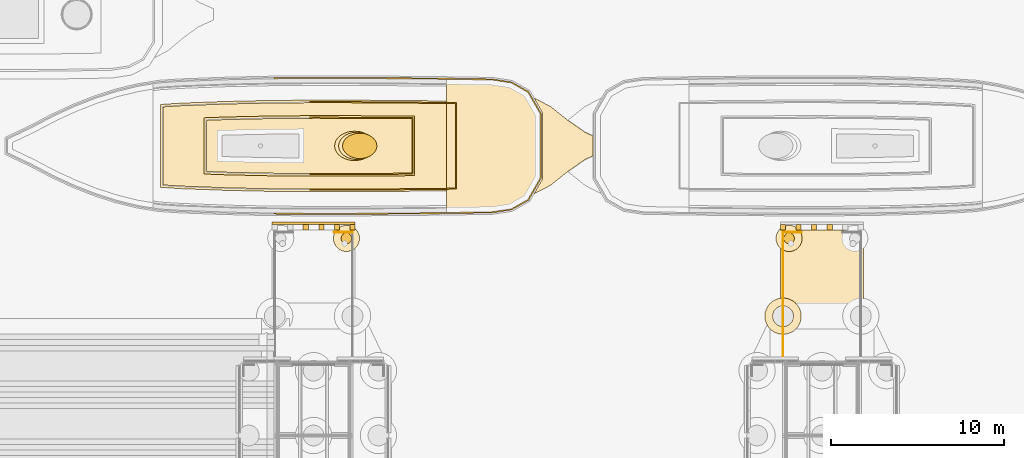
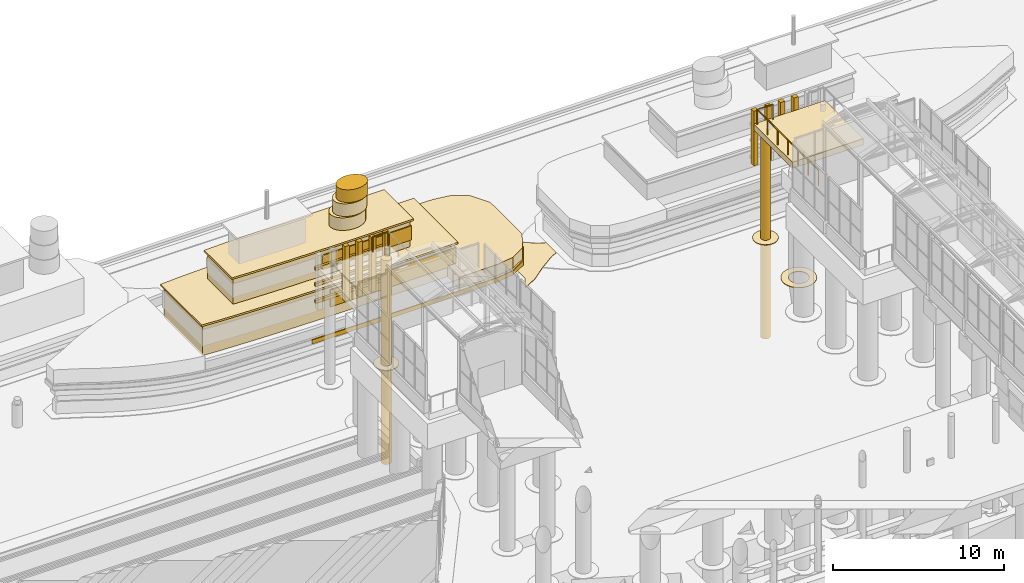
# One storey, part 194 of 222: 29 coverings, 3 railings.
"""IFC4 building model written with IfcOpenShell, lengths in metres."""

from ifc_helpers import new_model, si_unit, direction, frame, origin, origin_2d, place, context, subcontext, project, spatial, polyline, rectangle, circle, outline, extrude, material, layer, layer_set, type_object, element, save


model = new_model("IFC4")

# Units and contexts
model_context = context("Model", 3, precision=1e-05, world=origin(), true_north=direction((0.0, 1.0)))
body_context = subcontext(model_context, "Body", "Model", "MODEL_VIEW")
ifc_project = project(units=[si_unit("LENGTHUNIT", "METRE"), si_unit("AREAUNIT", "SQUARE_METRE"), si_unit("VOLUMEUNIT", "CUBIC_METRE"), si_unit("PLANEANGLEUNIT", "RADIAN"), si_unit("MASSUNIT", "GRAM", prefix="KILO")], contexts=[model_context])

# Site, building, storey
site_placement = place(None, origin())
site = spatial("IfcSite", under=ifc_project, at=site_placement, CompositionType="ELEMENT")
building_placement = place(site_placement, origin())
building = spatial("IfcBuilding", under=site, at=building_placement, Name="Sava Quay Ferry Terminal", CompositionType="ELEMENT")
storey_placement = place(building_placement, origin())
storey = spatial("IfcBuildingStorey", under=building, at=storey_placement, Name="L00", CompositionType="ELEMENT", Elevation=0.0)

# Coverings
ifc_material_1 = material(Name="Precast concrete C40/50", Category="concrete")
ifc_layer_1 = layer(ifc_material_1, 0.449951171875)
ifc_layer_set_1 = layer_set([ifc_layer_1], Name="Precast concrete C40/50")
covering_type_1 = type_object("IfcCoveringType", Name="Berth landing stage 450", PredefinedType="FLOORING", material=ifc_layer_set_1)
covering_1_placement = place(storey_placement, frame((0.0, 0.0, -0.449951171875)))
element("IfcCovering", 1, at=covering_1_placement, inside=storey, type_object=covering_type_1, Name="Berth landing stage", PredefinedType="FLOORING", context=body_context, shape_type="SweptSolid", body=[
    extrude(outline(polyline([(75.300048828125, 146.0), (80.10009765625, 146.0), (80.10009765625, 150.5), (75.300048828125, 150.5), (75.300048828125, 146.0)])), origin(), (0.0, 0.0, 1.0), 0.449951171875),
])
ifc_material_2 = material(Name="Steel S355", Category="steel")
ifc_layer_2 = layer(ifc_material_2, 0.030029296875)
ifc_layer_set_2 = layer_set([ifc_layer_2], Name="Steel S355")
covering_type_2 = type_object("IfcCoveringType", Name="Berth mooring dolphin 610", PredefinedType="CLADDING", material=ifc_layer_set_2)
for number, where, z_axis, x_axis, name in (
    (2, (50.199951171875, 150.0, -0.449951171875), (0.0, 0.0, -1.0), (1.0, 0.0, 0.0), "Berth mooring dolphin"),
    (3, (75.800048828125, 150.0, -0.449951171875), (0.0, 0.0, -1.0), (1.0, 0.0, 0.0), "Berth mooring dolphin"),
):
    element("IfcCovering", number, at=place(storey_placement, frame(where, z_axis=z_axis, x_axis=x_axis)), inside=storey, type_object=covering_type_2, Name=name, PredefinedType="CLADDING", context=body_context, shape_type="SweptSolid", body=[
        extrude(circle(Radius=0.304931640625, at=origin_2d()), origin(), (0.0, 0.0, 1.0), 14.550048828125),
    ])

# Railings
ifc_material_3 = material(Name="Steel S355", Category="steel")
railing_type = type_object("IfcRailingType", Name="Edge guard 1100", PredefinedType="GUARDRAIL", material=ifc_material_3)
railing_1_placement = place(storey_placement, frame((49.5, 150.35009765625, 0.0)))
element("IfcRailing", 4, at=railing_1_placement, inside=storey, type_object=railing_type, Name="Berth guard outer edge east", PredefinedType="GUARDRAIL", context=body_context, shape_type="SweptSolid", body=[
    extrude(circle(Radius=0.02392578125, at=origin_2d()), frame((0.0, 0.0, 1.076171875), z_axis=(1.0, 0.0, 0.0), x_axis=(0.0, 1.0, 0.0)), (0.0, 0.0, 1.0), 1.050048828125),
    extrude(circle(Radius=0.02099609375, at=origin_2d()), origin(), (0.0, 0.0, 1.0), 1.052001953125),
    extrude(circle(Radius=0.02099609375, at=origin_2d()), frame((1.050048828125, 0.0, 0.0)), (0.0, 0.0, 1.0), 1.052001953125),
])
railing_2_placement = place(storey_placement, frame((75.449951171875, 143.199951171875, 0.0)))
element("IfcRailing", 5, at=railing_2_placement, inside=storey, type_object=railing_type, Name="Berth guard west side", PredefinedType="GUARDRAIL", context=body_context, shape_type="SweptSolid", body=[
    extrude(circle(Radius=0.02392578125, at=origin_2d()), frame((0.0, 0.0, 1.076171875), z_axis=(0.0, 1.0, 0.0), x_axis=(-1.0, 0.0, 0.0)), (0.0, 0.0, 1.0), 7.150146484375),
    extrude(circle(Radius=0.02099609375, at=origin_2d()), origin(), (0.0, 0.0, 1.0), 1.052001953125),
    extrude(circle(Radius=0.02099609375, at=origin_2d()), frame((0.0, 1.191650390625, 0.0)), (0.0, 0.0, 1.0), 1.052001953125),
    extrude(circle(Radius=0.02099609375, at=origin_2d()), frame((0.0, 2.38330078125, 0.0)), (0.0, 0.0, 1.0), 1.052001953125),
    extrude(circle(Radius=0.02099609375, at=origin_2d()), frame((0.0, 3.5751953125, 0.0)), (0.0, 0.0, 1.0), 1.052001953125),
    extrude(circle(Radius=0.02099609375, at=origin_2d()), frame((0.0, 4.766845703125, 0.0)), (0.0, 0.0, 1.0), 1.052001953125),
    extrude(circle(Radius=0.02099609375, at=origin_2d()), frame((0.0, 5.95849609375, 0.0)), (0.0, 0.0, 1.0), 1.052001953125),
    extrude(circle(Radius=0.02099609375, at=origin_2d()), frame((0.0, 7.150146484375, 0.0)), (0.0, 0.0, 1.0), 1.052001953125),
])
railing_3_placement = place(storey_placement, frame((75.449951171875, 150.35009765625, 0.0)))
element("IfcRailing", 6, at=railing_3_placement, inside=storey, type_object=railing_type, Name="Berth guard outer edge west", PredefinedType="GUARDRAIL", context=body_context, shape_type="SweptSolid", body=[
    extrude(circle(Radius=0.02392578125, at=origin_2d()), frame((0.0, 0.0, 1.076171875), z_axis=(1.0, 0.0, 0.0), x_axis=(0.0, 1.0, 0.0)), (0.0, 0.0, 1.0), 1.050048828125),
    extrude(circle(Radius=0.02099609375, at=origin_2d()), origin(), (0.0, 0.0, 1.0), 1.052001953125),
    extrude(circle(Radius=0.02099609375, at=origin_2d()), frame((1.050048828125, 0.0, 0.0)), (0.0, 0.0, 1.0), 1.052001953125),
])

# Coverings
ifc_material_4 = material(Name="Greenheart timber", Category="wood")
ifc_layer_3 = layer(ifc_material_4, 0.300048828125)
ifc_layer_set_3 = layer_set([ifc_layer_3], Name="Greenheart timber")
covering_type_3 = type_object("IfcCoveringType", Name="Fender post 300", PredefinedType="CLADDING", material=ifc_layer_set_3)
for number, where, z_axis, x_axis, name in (
    (7, (47.85009765625, 150.64990234375, -3.0), (0.0, 0.0, 1.0), (1.0, 0.0, 0.0), "Fender post"),
    (8, (48.75, 150.64990234375, -3.0), (0.0, 0.0, 1.0), (1.0, 0.0, 0.0), "Fender post"),
    (9, (49.64990234375, 150.64990234375, -3.0), (0.0, 0.0, 1.0), (1.0, 0.0, 0.0), "Fender post"),
    (10, (50.550048828125, 150.64990234375, -3.0), (0.0, 0.0, 1.0), (1.0, 0.0, 0.0), "Fender post"),
    (11, (75.449951171875, 150.64990234375, -3.0), (0.0, 0.0, 1.0), (1.0, 0.0, 0.0), "Fender post"),
    (12, (76.35009765625, 150.64990234375, -3.0), (0.0, 0.0, 1.0), (1.0, 0.0, 0.0), "Fender post"),
    (13, (77.25, 150.64990234375, -3.0), (0.0, 0.0, 1.0), (1.0, 0.0, 0.0), "Fender post"),
    (14, (78.14990234375, 150.64990234375, -3.0), (0.0, 0.0, 1.0), (1.0, 0.0, 0.0), "Fender post"),
):
    element("IfcCovering", number, at=place(storey_placement, frame(where, z_axis=z_axis, x_axis=x_axis)), inside=storey, type_object=covering_type_3, Name=name, PredefinedType="CLADDING", context=body_context, shape_type="SweptSolid", body=[
        extrude(rectangle(XDim=0.300048828125, YDim=0.300048828125, at=origin_2d()), origin(), (0.0, 0.0, 1.0), 3.89990234375),
    ])
ifc_material_5 = material(Name="Greenheart timber", Category="wood")
ifc_layer_4 = layer(ifc_material_5, 0.14990234375)
ifc_layer_set_4 = layer_set([ifc_layer_4], Name="Greenheart timber")
covering_type_4 = type_object("IfcCoveringType", Name="Fender rubbing strip 200", PredefinedType="CLADDING", material=ifc_layer_set_4)
for number, where, z_axis, x_axis, name in (
    (15, (48.300048828125, 150.875, -0.35009765625), (0.0, 0.0, 1.0), (1.0, 0.0, 0.0), "Fender rubbing strip"),
    (16, (48.300048828125, 150.875, -1.5), (0.0, 0.0, 1.0), (1.0, 0.0, 0.0), "Fender rubbing strip"),
    (17, (48.300048828125, 150.875, -2.7001953125), (0.0, 0.0, 1.0), (1.0, 0.0, 0.0), "Fender rubbing strip"),
):
    element("IfcCovering", number, at=place(storey_placement, frame(where, z_axis=z_axis, x_axis=x_axis)), inside=storey, type_object=covering_type_4, Name=name, PredefinedType="CLADDING", context=body_context, shape_type="SweptSolid", body=[
        extrude(rectangle(XDim=4.800048828125, YDim=0.14990234375, at=origin_2d()), origin(), (0.0, 0.0, 1.0), 0.199951171875),
    ])
ifc_material_6 = material(Name="Water")
ifc_layer_5 = layer(ifc_material_6, 0.0400390625)
ifc_layer_set_5 = layer_set([ifc_layer_5], Name="Water")
covering_type_5 = type_object("IfcCoveringType", Name="River foam collar", PredefinedType="CLADDING", material=ifc_layer_set_5)
covering_2_placement = place(storey_placement, frame((0.0, 0.0, -8.0)))
element("IfcCovering", 18, at=covering_2_placement, inside=storey, type_object=covering_type_5, Name="River foam collar", PredefinedType="CLADDING", context=body_context, shape_type="SweptSolid", body=[
    extrude(outline(polyline([(75.047119140625, 146.471923828125), (74.864990234375, 146.375), (74.7060546875, 146.243896484375), (74.574951171875, 146.0849609375), (74.47802734375, 145.903076171875), (74.41796875, 145.705078125), (74.39794921875, 145.5), (74.41796875, 145.294921875), (74.47802734375, 145.096923828125), (74.574951171875, 144.9150390625), (74.7060546875, 144.756103515625), (74.864990234375, 144.625), (75.047119140625, 144.528076171875), (75.2451171875, 144.468017578125), (75.449951171875, 144.447998046875), (75.655029296875, 144.468017578125), (75.85302734375, 144.528076171875), (76.034912109375, 144.625), (76.194091796875, 144.756103515625), (76.324951171875, 144.9150390625), (76.422119140625, 145.096923828125), (76.48193359375, 145.294921875), (76.501953125, 145.5), (76.48193359375, 145.705078125), (76.422119140625, 145.903076171875), (76.324951171875, 146.0849609375), (76.194091796875, 146.243896484375), (76.034912109375, 146.375), (75.85302734375, 146.471923828125), (75.655029296875, 146.531982421875), (75.449951171875, 146.552001953125), (75.2451171875, 146.531982421875), (75.047119140625, 146.471923828125)]), holes=[polyline([(75.219970703125, 144.946044921875), (75.116943359375, 145.0009765625), (75.02587890625, 145.075927734375), (74.950927734375, 145.1669921875), (74.89599609375, 145.27001953125), (74.862060546875, 145.383056640625), (74.85009765625, 145.5), (74.862060546875, 145.616943359375), (74.89599609375, 145.72998046875), (74.950927734375, 145.8330078125), (75.02587890625, 145.924072265625), (75.116943359375, 145.9990234375), (75.219970703125, 146.053955078125), (75.3330078125, 146.087890625), (75.449951171875, 146.10009765625), (75.56689453125, 146.087890625), (75.679931640625, 146.053955078125), (75.782958984375, 145.9990234375), (75.8740234375, 145.924072265625), (75.948974609375, 145.8330078125), (76.00390625, 145.72998046875), (76.0380859375, 145.616943359375), (76.050048828125, 145.5), (76.0380859375, 145.383056640625), (76.00390625, 145.27001953125), (75.948974609375, 145.1669921875), (75.8740234375, 145.075927734375), (75.782958984375, 145.0009765625), (75.679931640625, 144.946044921875), (75.56689453125, 144.912109375), (75.449951171875, 144.89990234375), (75.3330078125, 144.912109375), (75.219970703125, 144.946044921875)])]), origin(), (0.0, 0.0, 1.0), 0.0400390625),
])
covering_3_placement = place(storey_placement, frame((0.0, 0.0, -8.0)))
element("IfcCovering", 19, at=covering_3_placement, inside=storey, type_object=covering_type_5, Name="River foam collar", PredefinedType="CLADDING", context=body_context, shape_type="SweptSolid", body=[
    extrude(outline(polyline([(50.347900390625, 150.742919921875), (50.199951171875, 150.757080078125), (50.052001953125, 150.742919921875), (49.909912109375, 150.699951171875), (49.779052734375, 150.6298828125), (49.6650390625, 150.534912109375), (49.570068359375, 150.4208984375), (49.5, 150.2900390625), (49.45703125, 150.14794921875), (49.443115234375, 150.0), (49.45703125, 149.85205078125), (49.5, 149.7099609375), (49.570068359375, 149.5791015625), (49.6650390625, 149.465087890625), (49.779052734375, 149.3701171875), (49.909912109375, 149.300048828125), (50.052001953125, 149.257080078125), (50.199951171875, 149.242919921875), (50.347900390625, 149.257080078125), (50.489990234375, 149.300048828125), (50.62109375, 149.3701171875), (50.735107421875, 149.465087890625), (50.830078125, 149.5791015625), (50.89990234375, 149.7099609375), (50.943115234375, 149.85205078125), (50.95703125, 150.0), (50.943115234375, 150.14794921875), (50.89990234375, 150.2900390625), (50.830078125, 150.4208984375), (50.735107421875, 150.534912109375), (50.62109375, 150.6298828125), (50.489990234375, 150.699951171875), (50.347900390625, 150.742919921875)]), holes=[polyline([(50.260009765625, 149.700927734375), (50.199951171875, 149.695068359375), (50.139892578125, 149.700927734375), (50.0830078125, 149.718017578125), (50.031005859375, 149.74609375), (49.98388671875, 149.783935546875), (49.946044921875, 149.8310546875), (49.91796875, 149.883056640625), (49.90087890625, 149.93994140625), (49.89501953125, 150.0), (49.90087890625, 150.06005859375), (49.91796875, 150.116943359375), (49.946044921875, 150.1689453125), (49.98388671875, 150.216064453125), (50.031005859375, 150.25390625), (50.0830078125, 150.281982421875), (50.139892578125, 150.299072265625), (50.199951171875, 150.304931640625), (50.260009765625, 150.299072265625), (50.31689453125, 150.281982421875), (50.368896484375, 150.25390625), (50.416015625, 150.216064453125), (50.4541015625, 150.1689453125), (50.48193359375, 150.116943359375), (50.4990234375, 150.06005859375), (50.5048828125, 150.0), (50.4990234375, 149.93994140625), (50.48193359375, 149.883056640625), (50.4541015625, 149.8310546875), (50.416015625, 149.783935546875), (50.368896484375, 149.74609375), (50.31689453125, 149.718017578125), (50.260009765625, 149.700927734375)])]), origin(), (0.0, 0.0, 1.0), 0.0400390625),
])
covering_4_placement = place(storey_placement, frame((0.0, 0.0, -8.0)))
element("IfcCovering", 20, at=covering_4_placement, inside=storey, type_object=covering_type_5, Name="River foam collar", PredefinedType="CLADDING", context=body_context, shape_type="SweptSolid", body=[
    extrude(outline(polyline([(76.090087890625, 150.699951171875), (75.947998046875, 150.742919921875), (75.800048828125, 150.757080078125), (75.652099609375, 150.742919921875), (75.510009765625, 150.699951171875), (75.37890625, 150.6298828125), (75.264892578125, 150.534912109375), (75.169921875, 150.4208984375), (75.10009765625, 150.2900390625), (75.056884765625, 150.14794921875), (75.04296875, 150.0), (75.056884765625, 149.85205078125), (75.10009765625, 149.7099609375), (75.169921875, 149.5791015625), (75.264892578125, 149.465087890625), (75.37890625, 149.3701171875), (75.510009765625, 149.300048828125), (75.652099609375, 149.257080078125), (75.800048828125, 149.242919921875), (75.947998046875, 149.257080078125), (76.090087890625, 149.300048828125), (76.220947265625, 149.3701171875), (76.3349609375, 149.465087890625), (76.429931640625, 149.5791015625), (76.5, 149.7099609375), (76.54296875, 149.85205078125), (76.556884765625, 150.0), (76.54296875, 150.14794921875), (76.5, 150.2900390625), (76.429931640625, 150.4208984375), (76.3349609375, 150.534912109375), (76.220947265625, 150.6298828125), (76.090087890625, 150.699951171875)]), holes=[polyline([(75.9169921875, 149.718017578125), (75.860107421875, 149.700927734375), (75.800048828125, 149.695068359375), (75.739990234375, 149.700927734375), (75.68310546875, 149.718017578125), (75.631103515625, 149.74609375), (75.583984375, 149.783935546875), (75.5458984375, 149.8310546875), (75.51806640625, 149.883056640625), (75.5009765625, 149.93994140625), (75.4951171875, 150.0), (75.5009765625, 150.06005859375), (75.51806640625, 150.116943359375), (75.5458984375, 150.1689453125), (75.583984375, 150.216064453125), (75.631103515625, 150.25390625), (75.68310546875, 150.281982421875), (75.739990234375, 150.299072265625), (75.800048828125, 150.304931640625), (75.860107421875, 150.299072265625), (75.9169921875, 150.281982421875), (75.968994140625, 150.25390625), (76.01611328125, 150.216064453125), (76.053955078125, 150.1689453125), (76.08203125, 150.116943359375), (76.09912109375, 150.06005859375), (76.10498046875, 150.0), (76.09912109375, 149.93994140625), (76.08203125, 149.883056640625), (76.053955078125, 149.8310546875), (76.01611328125, 149.783935546875), (75.968994140625, 149.74609375), (75.9169921875, 149.718017578125)])]), origin(), (0.0, 0.0, 1.0), 0.0400390625),
])
ifc_material_7 = material(Name="Water")
ifc_layer_6 = layer(ifc_material_7, 0.0400390625)
ifc_layer_set_6 = layer_set([ifc_layer_6], Name="Water")
covering_type_6 = type_object("IfcCoveringType", Name="River wake foam", PredefinedType="CLADDING", material=ifc_layer_set_6)
covering_5_placement = place(storey_placement, frame((0.0, 0.0, -8.0)))
element("IfcCovering", 21, at=covering_5_placement, inside=storey, type_object=covering_type_6, Name="River wake foam", PredefinedType="CLADDING", context=body_context, shape_type="SweptSolid", body=[
    extrude(outline(polyline([(64.0, 156.134033203125), (63.0, 156.8330078125), (62.0, 157.631103515625), (61.048095703125, 158.125), (61.550048828125, 157.24609375), (61.550048828125, 153.4541015625), (61.048095703125, 152.574951171875), (62.0, 153.069091796875), (63.0, 153.866943359375), (64.0, 154.56591796875), (64.449951171875, 154.77099609375), (64.449951171875, 155.928955078125), (64.0, 156.134033203125)])), origin(), (0.0, 0.0, 1.0), 0.0400390625),
])
ifc_material_8 = material(Name="Steel S355", Category="steel")
ifc_layer_7 = layer(ifc_material_8, 0.1201171875)
ifc_layer_set_7 = layer_set([ifc_layer_7], Name="Steel S355")
covering_type_7 = type_object("IfcCoveringType", Name="Vessel deck plate 120", PredefinedType="FLOORING", material=ifc_layer_set_7)
covering_6_placement = place(storey_placement, frame((0.0, 0.0, -3.39990234375)))
element("IfcCovering", 22, at=covering_6_placement, inside=storey, type_object=covering_type_7, Name="Vessel main deck roof", PredefinedType="FLOORING", context=body_context, shape_type="SweptSolid", body=[
    extrude(outline(polyline([(56.01708984375, 157.948974609375), (53.449951171875, 157.97705078125), (50.882080078125, 157.9951171875), (48.31689453125, 158.0), (45.756103515625, 157.97998046875), (43.197021484375, 157.922119140625), (40.64404296875, 157.825927734375), (39.449951171875, 157.748046875), (39.449951171875, 152.951904296875), (40.64404296875, 152.8740234375), (43.197021484375, 152.778076171875), (45.756103515625, 152.719970703125), (48.31689453125, 152.699951171875), (50.882080078125, 152.705078125), (53.449951171875, 152.722900390625), (56.01708984375, 152.7509765625), (56.64990234375, 152.760986328125), (56.64990234375, 157.93896484375), (56.01708984375, 157.948974609375)])), origin(), (0.0, 0.0, 1.0), 0.119873046875),
])
covering_7_placement = place(storey_placement, frame((0.0, 0.0, -1.3798828125)))
element("IfcCovering", 23, at=covering_7_placement, inside=storey, type_object=covering_type_7, Name="Vessel upper deck", PredefinedType="FLOORING", context=body_context, shape_type="SweptSolid", body=[
    extrude(outline(polyline([(53.44189453125, 157.077880859375), (50.8779296875, 157.094970703125), (48.319091796875, 157.10009765625), (45.77001953125, 157.080078125), (43.22412109375, 157.02197265625), (41.949951171875, 156.97412109375), (41.949951171875, 153.72607421875), (43.22412109375, 153.677978515625), (45.77001953125, 153.6201171875), (48.319091796875, 153.60009765625), (50.8779296875, 153.60498046875), (53.44189453125, 153.6220703125), (54.14990234375, 153.6298828125), (54.14990234375, 157.070068359375), (53.44189453125, 157.077880859375)])), origin(), (0.0, 0.0, 1.0), 0.119873046875),
])
ifc_material_9 = material(Name="Steel S355", Category="steel")
ifc_layer_8 = layer(ifc_material_9, 0.89990234375)
ifc_layer_set_8 = layer_set([ifc_layer_8], Name="Steel S355")
covering_type_8 = type_object("IfcCoveringType", Name="Vessel forecastle 900", PredefinedType="CLADDING", material=ifc_layer_set_8)
covering_8_placement = place(storey_placement, frame((0.0, 0.0, -5.60009765625)))
element("IfcCovering", 24, at=covering_8_placement, inside=storey, type_object=covering_type_8, Name="Vessel poop deck", PredefinedType="CLADDING", context=body_context, shape_type="SweptSolid", body=[
    extrude(outline(polyline([(60.693115234375, 158.444091796875), (59.73388671875, 158.989013671875), (58.634033203125, 159.157958984375), (56.0, 159.198974609375), (56.0, 151.5009765625), (58.634033203125, 151.5419921875), (59.73388671875, 151.7109375), (60.693115234375, 152.256103515625), (61.39990234375, 153.493896484375), (61.39990234375, 157.2060546875), (60.693115234375, 158.444091796875)])), origin(), (0.0, 0.0, 1.0), 0.800048828125),
])
ifc_material_10 = material(Name="Steel S355", Category="steel")
ifc_layer_9 = layer(ifc_material_10, 1.0)
ifc_layer_set_9 = layer_set([ifc_layer_9], Name="Steel S355")
covering_type_9 = type_object("IfcCoveringType", Name="Vessel funnel", PredefinedType="CLADDING", material=ifc_layer_set_9)
covering_9_placement = place(storey_placement, frame((0.0, 0.0, -1.260009765625)))
element("IfcCovering", 25, at=covering_9_placement, inside=storey, type_object=covering_type_9, Name="Vessel funnel", PredefinedType="CLADDING", context=body_context, shape_type="SweptSolid", body=[
    extrude(outline(polyline([(49.51806640625, 155.35009765625), (49.528076171875, 155.239013671875), (49.556884765625, 155.1298828125), (49.60595703125, 155.02490234375), (49.672119140625, 154.925048828125), (49.756103515625, 154.8330078125), (49.85498046875, 154.7490234375), (49.968017578125, 154.676025390625), (50.093017578125, 154.614013671875), (50.22802734375, 154.56494140625), (50.3701171875, 154.529052734375), (50.51806640625, 154.507080078125), (50.66796875, 154.5), (50.818115234375, 154.507080078125), (50.966064453125, 154.529052734375), (51.10791015625, 154.56494140625), (51.242919921875, 154.614013671875), (51.367919921875, 154.676025390625), (51.48095703125, 154.7490234375), (51.580078125, 154.8330078125), (51.6640625, 154.925048828125), (51.72998046875, 155.02490234375), (51.779052734375, 155.1298828125), (51.80810546875, 155.239013671875), (51.818115234375, 155.35009765625), (51.80810546875, 155.4609375), (51.779052734375, 155.570068359375), (51.72998046875, 155.675048828125), (51.6640625, 155.77490234375), (51.580078125, 155.866943359375), (51.48095703125, 155.950927734375), (51.367919921875, 156.02392578125), (51.242919921875, 156.0859375), (51.10791015625, 156.135009765625), (50.966064453125, 156.1708984375), (50.818115234375, 156.193115234375), (50.66796875, 156.199951171875), (50.51806640625, 156.193115234375), (50.3701171875, 156.1708984375), (50.22802734375, 156.135009765625), (50.093017578125, 156.0859375), (49.968017578125, 156.02392578125), (49.85498046875, 155.950927734375), (49.756103515625, 155.866943359375), (49.672119140625, 155.77490234375), (49.60595703125, 155.675048828125), (49.556884765625, 155.570068359375), (49.528076171875, 155.4609375), (49.51806640625, 155.35009765625)])), origin(), (0.0, 0.0, 1.0), 0.89990234375),
])
covering_10_placement = place(storey_placement, frame((0.0, 0.0, -0.360107421875)))
element("IfcCovering", 26, at=covering_10_placement, inside=storey, type_object=covering_type_9, Name="Vessel funnel", PredefinedType="CLADDING", context=body_context, shape_type="SweptSolid", body=[
    extrude(outline(polyline([(49.748046875, 155.35009765625), (49.758056640625, 155.2470703125), (49.784912109375, 155.14501953125), (49.830078125, 155.047119140625), (49.89208984375, 154.955078125), (49.969970703125, 154.868896484375), (50.06201171875, 154.791015625), (50.1669921875, 154.722900390625), (50.282958984375, 154.6650390625), (50.408935546875, 154.6201171875), (50.541015625, 154.5859375), (50.677978515625, 154.56591796875), (50.818115234375, 154.55908203125), (50.9580078125, 154.56591796875), (51.094970703125, 154.5859375), (51.22705078125, 154.6201171875), (51.35302734375, 154.6650390625), (51.468994140625, 154.722900390625), (51.573974609375, 154.791015625), (51.666015625, 154.868896484375), (51.743896484375, 154.955078125), (51.805908203125, 155.047119140625), (51.85107421875, 155.14501953125), (51.8779296875, 155.2470703125), (51.887939453125, 155.35009765625), (51.8779296875, 155.452880859375), (51.85107421875, 155.554931640625), (51.805908203125, 155.653076171875), (51.743896484375, 155.7451171875), (51.666015625, 155.8310546875), (51.573974609375, 155.908935546875), (51.468994140625, 155.97705078125), (51.35302734375, 156.034912109375), (51.22705078125, 156.080078125), (51.094970703125, 156.114013671875), (50.9580078125, 156.134033203125), (50.818115234375, 156.14111328125), (50.677978515625, 156.134033203125), (50.541015625, 156.114013671875), (50.408935546875, 156.080078125), (50.282958984375, 156.034912109375), (50.1669921875, 155.97705078125), (50.06201171875, 155.908935546875), (49.969970703125, 155.8310546875), (49.89208984375, 155.7451171875), (49.830078125, 155.653076171875), (49.784912109375, 155.554931640625), (49.758056640625, 155.452880859375), (49.748046875, 155.35009765625)])), origin(), (0.0, 0.0, 1.0), 0.900146484375),
])
covering_11_placement = place(storey_placement, frame((0.0, 0.0, 0.5400390625)))
element("IfcCovering", 27, at=covering_11_placement, inside=storey, type_object=covering_type_9, Name="Vessel funnel", PredefinedType="CLADDING", context=body_context, shape_type="SweptSolid", body=[
    extrude(outline(polyline([(49.97900390625, 155.35009765625), (49.987060546875, 155.2548828125), (50.012939453125, 155.160888671875), (50.053955078125, 155.070068359375), (50.112060546875, 154.98388671875), (50.18310546875, 154.905029296875), (50.26904296875, 154.8330078125), (50.365966796875, 154.77001953125), (50.47412109375, 154.717041015625), (50.590087890625, 154.675048828125), (50.7119140625, 154.64404296875), (50.839111328125, 154.625), (50.968017578125, 154.618896484375), (51.096923828125, 154.625), (51.22412109375, 154.64404296875), (51.345947265625, 154.675048828125), (51.4619140625, 154.717041015625), (51.570068359375, 154.77001953125), (51.6669921875, 154.8330078125), (51.7529296875, 154.905029296875), (51.823974609375, 154.98388671875), (51.882080078125, 155.070068359375), (51.923095703125, 155.160888671875), (51.948974609375, 155.2548828125), (51.95703125, 155.35009765625), (51.948974609375, 155.445068359375), (51.923095703125, 155.5390625), (51.882080078125, 155.6298828125), (51.823974609375, 155.715087890625), (51.7529296875, 155.794921875), (51.6669921875, 155.866943359375), (51.570068359375, 155.929931640625), (51.4619140625, 155.98291015625), (51.345947265625, 156.02490234375), (51.22412109375, 156.055908203125), (51.096923828125, 156.074951171875), (50.968017578125, 156.0810546875), (50.839111328125, 156.074951171875), (50.7119140625, 156.055908203125), (50.590087890625, 156.02490234375), (50.47412109375, 155.98291015625), (50.365966796875, 155.929931640625), (50.26904296875, 155.866943359375), (50.18310546875, 155.794921875), (50.112060546875, 155.715087890625), (50.053955078125, 155.6298828125), (50.012939453125, 155.5390625), (49.987060546875, 155.445068359375), (49.97900390625, 155.35009765625)])), origin(), (0.0, 0.0, 1.0), 0.89990234375),
])
ifc_material_11 = material(Name="Aluminium cladding", Category="aluminium")
ifc_layer_10 = layer(ifc_material_11, 2.39990234375)
ifc_layer_set_10 = layer_set([ifc_layer_10], Name="Aluminium cladding")
covering_type_10 = type_object("IfcCoveringType", Name="Vessel main deckhouse", PredefinedType="CLADDING", material=ifc_layer_set_10)
covering_12_placement = place(storey_placement, frame((0.0, 0.0, -5.60009765625)))
element("IfcCovering", 28, at=covering_12_placement, inside=storey, type_object=covering_type_10, Name="Vessel main deckhouse", PredefinedType="CLADDING", context=body_context, shape_type="SweptSolid", body=[
    extrude(outline(polyline([(56.014892578125, 157.799072265625), (53.447998046875, 157.826904296875), (50.881103515625, 157.844970703125), (48.31689453125, 157.85009765625), (45.758056640625, 157.830078125), (43.200927734375, 157.77197265625), (40.65087890625, 157.676025390625), (39.60009765625, 157.60693359375), (39.60009765625, 153.093017578125), (40.65087890625, 153.02392578125), (43.200927734375, 152.927978515625), (45.758056640625, 152.8701171875), (48.31689453125, 152.85009765625), (50.881103515625, 152.85498046875), (53.447998046875, 152.873046875), (56.014892578125, 152.90087890625), (56.5, 152.908935546875), (56.5, 157.791015625), (56.014892578125, 157.799072265625)])), origin(), (0.0, 0.0, 1.0), 2.2001953125),
])
ifc_material_12 = material(Name="Steel S355", Category="steel")
ifc_layer_11 = layer(ifc_material_12, 0.300048828125)
ifc_layer_set_11 = layer_set([ifc_layer_11], Name="Steel S355")
covering_type_11 = type_object("IfcCoveringType", Name="Vessel rubbing strake 300", PredefinedType="CLADDING", material=ifc_layer_set_11)
covering_13_placement = place(storey_placement, frame((0.0, 0.0, -6.0)))
element("IfcCovering", 29, at=covering_13_placement, inside=storey, type_object=covering_type_11, Name="Vessel rubbing strake", PredefinedType="CLADDING", context=body_context, shape_type="SweptSolid", body=[
    extrude(outline(polyline([(48.31298828125, 159.320068359375), (46.0, 159.302001953125), (46.0, 159.23193359375), (48.31298828125, 159.25), (50.886962890625, 159.2451171875), (53.4609375, 159.22705078125), (56.033935546875, 159.198974609375), (58.634033203125, 159.157958984375), (59.73388671875, 158.989013671875), (60.693115234375, 158.444091796875), (61.39990234375, 157.2060546875), (61.39990234375, 153.493896484375), (60.693115234375, 152.256103515625), (59.73388671875, 151.7109375), (58.634033203125, 151.5419921875), (56.033935546875, 151.5009765625), (53.4609375, 151.472900390625), (50.886962890625, 151.455078125), (48.31298828125, 151.449951171875), (46.0, 151.468017578125), (46.0, 151.39794921875), (48.31298828125, 151.3798828125), (50.887939453125, 151.385009765625), (53.4609375, 151.403076171875), (56.034912109375, 151.430908203125), (58.638916015625, 151.471923828125), (59.757080078125, 151.64404296875), (60.743896484375, 152.205078125), (61.469970703125, 153.47509765625), (61.469970703125, 157.22509765625), (60.743896484375, 158.4951171875), (59.757080078125, 159.055908203125), (58.638916015625, 159.22802734375), (56.034912109375, 159.26904296875), (53.4609375, 159.297119140625), (50.887939453125, 159.31494140625), (48.31298828125, 159.320068359375)])), origin(), (0.0, 0.0, 1.0), 0.300048828125),
])
ifc_material_13 = material(Name="Aluminium cladding", Category="aluminium")
ifc_layer_12 = layer(ifc_material_13, 2.39990234375)
ifc_layer_set_12 = layer_set([ifc_layer_12], Name="Aluminium cladding")
covering_type_12 = type_object("IfcCoveringType", Name="Vessel upper deckhouse", PredefinedType="CLADDING", material=ifc_layer_set_12)
covering_14_placement = place(storey_placement, frame((0.0, 0.0, -3.280029296875)))
element("IfcCovering", 30, at=covering_14_placement, inside=storey, type_object=covering_type_12, Name="Vessel upper deckhouse", PredefinedType="CLADDING", context=body_context, shape_type="SweptSolid", body=[
    extrude(outline(polyline([(53.43994140625, 156.927978515625), (50.876953125, 156.945068359375), (48.320068359375, 156.949951171875), (45.77197265625, 156.929931640625), (43.22900390625, 156.8720703125), (42.10009765625, 156.830078125), (42.10009765625, 153.8701171875), (43.22900390625, 153.827880859375), (45.77197265625, 153.77001953125), (48.320068359375, 153.75), (50.876953125, 153.7548828125), (53.43994140625, 153.77197265625), (54.0, 153.779052734375), (54.0, 156.9208984375), (53.43994140625, 156.927978515625)])), origin(), (0.0, 0.0, 1.0), 1.900146484375),
])
ifc_material_14 = material(Name="Glass", Category="glass")
ifc_layer_13 = layer(ifc_material_14, 0.06005859375)
ifc_layer_set_13 = layer_set([ifc_layer_13], Name="Glass")
covering_type_13 = type_object("IfcCoveringType", Name="Vessel window band 60", PredefinedType="CLADDING", material=ifc_layer_set_13)
covering_15_placement = place(storey_placement, frame((0.0, 0.0, -4.89990234375)))
element("IfcCovering", 31, at=covering_15_placement, inside=storey, type_object=covering_type_13, Name="Vessel window band", PredefinedType="CLADDING", context=body_context, shape_type="SweptSolid", body=[
    extrude(outline(polyline([(48.31689453125, 157.909912109375), (48.050048828125, 157.907958984375), (48.050048828125, 157.847900390625), (48.31689453125, 157.85009765625), (50.881103515625, 157.844970703125), (53.447998046875, 157.826904296875), (56.014892578125, 157.799072265625), (56.5, 157.791015625), (56.5, 152.908935546875), (56.014892578125, 152.90087890625), (53.447998046875, 152.873046875), (50.881103515625, 152.85498046875), (48.31689453125, 152.85009765625), (48.050048828125, 152.85205078125), (48.050048828125, 152.7919921875), (48.31689453125, 152.7900390625), (50.882080078125, 152.794921875), (53.448974609375, 152.81298828125), (56.01611328125, 152.841064453125), (56.56005859375, 152.85009765625), (56.56005859375, 157.85009765625), (56.01611328125, 157.85888671875), (53.448974609375, 157.886962890625), (50.882080078125, 157.905029296875), (48.31689453125, 157.909912109375)])), origin(), (0.0, 0.0, 1.0), 1.199951171875),
])
covering_16_placement = place(storey_placement, frame((0.0, 0.0, -2.780029296875)))
element("IfcCovering", 32, at=covering_16_placement, inside=storey, type_object=covering_type_13, Name="Vessel window band", PredefinedType="CLADDING", context=body_context, shape_type="SweptSolid", body=[
    extrude(outline(polyline([(48.320068359375, 157.010009765625), (48.050048828125, 157.008056640625), (48.050048828125, 156.947998046875), (48.320068359375, 156.949951171875), (50.876953125, 156.945068359375), (53.43994140625, 156.927978515625), (54.0, 156.9208984375), (54.0, 153.779052734375), (53.43994140625, 153.77197265625), (50.876953125, 153.7548828125), (48.320068359375, 153.75), (48.050048828125, 153.751953125), (48.050048828125, 153.69189453125), (48.320068359375, 153.68994140625), (50.8779296875, 153.695068359375), (53.44091796875, 153.7119140625), (54.06005859375, 153.718994140625), (54.06005859375, 156.98095703125), (53.44091796875, 156.988037109375), (50.8779296875, 157.0048828125), (48.320068359375, 157.010009765625)])), origin(), (0.0, 0.0, 1.0), 1.0),
])

save(model, "model.ifc")
